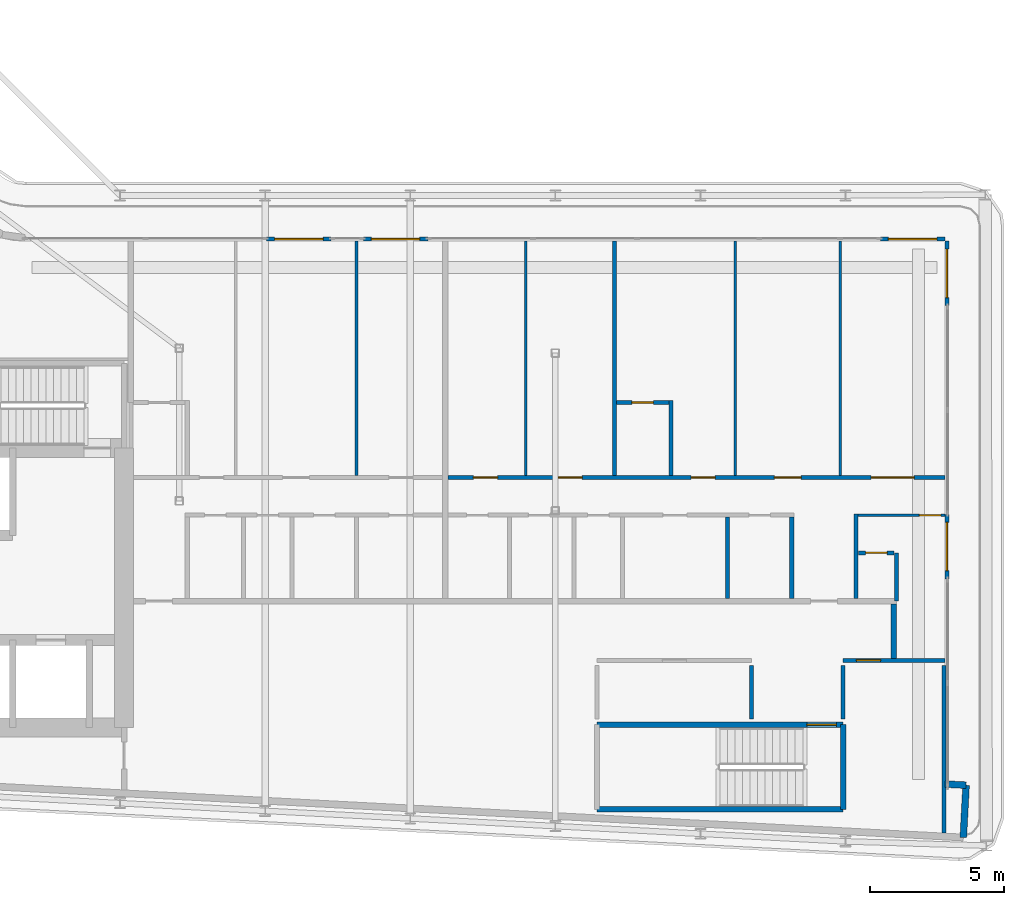
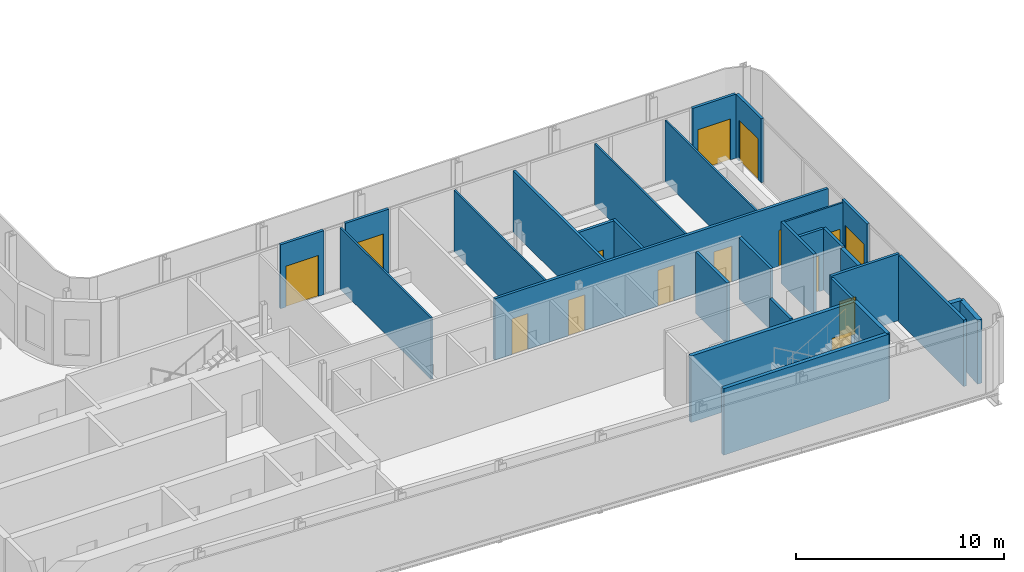
# One storey, part 12 of 22: 29 walls, 15 doors, 15 openings.
"""IFC4 building model written with IfcOpenShell, lengths in metres."""

from ifc_helpers import new_model, si_unit, direction, frame, frame_2d, origin, place, context, subcontext, project, spatial, rectangle, extrude, source, transform, mapped, material, layer, layer_set, type_object, element, fill, save


model = new_model("IFC4")

# Units and contexts
model_context = context("Model", 3, precision=1e-05, world=origin(), true_north=direction((0.0, 1.0)))
body_context = subcontext(model_context, "Body", "Model", "MODEL_VIEW")
ifc_project = project(units=[si_unit("LENGTHUNIT", "METRE"), si_unit("AREAUNIT", "SQUARE_METRE"), si_unit("VOLUMEUNIT", "CUBIC_METRE"), si_unit("PLANEANGLEUNIT", "RADIAN"), si_unit("MASSUNIT", "GRAM", prefix="KILO")], contexts=[model_context])

# Site, building, storey
site_placement = place(None, origin())
site = spatial("IfcSite", under=ifc_project, at=site_placement, CompositionType="ELEMENT")
building_placement = place(site_placement, origin())
building = spatial("IfcBuilding", under=site, at=building_placement, Name="Kheshtan School and Residences Tower", CompositionType="ELEMENT")
storey_placement = place(building_placement, frame((0.0, 0.0, 263.0)))
storey = spatial("IfcBuildingStorey", under=building, at=storey_placement, Name="L62", CompositionType="ELEMENT", Elevation=263.0)

# Walls
ifc_material_1 = material(Name="Gypsum board on steel studs with fire boards", Category="steel")
ifc_layer_1 = layer(ifc_material_1, 0.199951171875)
ifc_layer_set_1 = layer_set([ifc_layer_1], Name="Corridor wall 200")
wall_type_1 = type_object("IfcWallType", Name="Corridor wall 200", PredefinedType="PARTITIONING", material=ifc_layer_set_1)
wall_1_placement = place(storey_placement, frame((81.800048828125, 28.3740234375, 0.0), z_axis=(0.0, 0.0, 1.0), x_axis=(0.0, 1.0, 0.0)))
element("IfcWall", 1, at=wall_1_placement, inside=storey, type_object=wall_type_1, Name="Partition L62-061", PredefinedType="PARTITIONING", context=body_context, shape_type="SweptSolid", body=[
    extrude(rectangle(XDim=2.02587890625, YDim=0.199951171875, at=frame_2d((1.012939453125, 0.0))), origin(), (0.0, 0.0, 1.0), 3.60009765625),
])
ifc_material_2 = material(Name="Concrete C40/50 with ceramic cladding and mineral wool insulation", Category="concrete")
ifc_layer_2 = layer(ifc_material_2, 0.25)
ifc_layer_set_2 = layer_set([ifc_layer_2], Name="External wall 250 ceramic clad")
wall_type_2 = type_object("IfcWallType", Name="External wall 250 ceramic clad", PredefinedType="SOLIDWALL", material=ifc_layer_set_2)
wall_2_placement = place(storey_placement, frame((83.70703125, 23.69189453125, 0.0), z_axis=(0.0, 0.0, 1.0), x_axis=(0.998561284263, -0.053622398031, 0.0)))
element("IfcWall", 2, at=wall_2_placement, inside=storey, type_object=wall_type_2, Name="External wall L62 14", PredefinedType="SOLIDWALL", context=body_context, shape_type="SweptSolid", body=[
    extrude(rectangle(XDim=0.783203125, YDim=0.25, at=frame_2d((0.3916015625, 0.0))), origin(), (0.0, 0.0, 1.0), 3.75),
])
wall_3_placement = place(storey_placement, frame((84.489013671875, 23.64990234375, 0.0), z_axis=(0.0, 0.0, 1.0), x_axis=(-0.052841433274, -0.998602915542, 0.0)))
element("IfcWall", 3, at=wall_3_placement, inside=storey, type_object=wall_type_2, Name="External wall L62 15", PredefinedType="SOLIDWALL", context=body_context, shape_type="SweptSolid", body=[
    extrude(rectangle(XDim=1.94970703125, YDim=0.25, at=frame_2d((0.974853515625, 0.0))), origin(), (0.0, 0.0, 1.0), 3.75),
])

# Wall, opening, door
ifc_material_3 = material(Name="Aluminium frame wall with insulated infill", Category="aluminium")
ifc_layer_3 = layer(ifc_material_3, 0.14990234375)
ifc_layer_set_3 = layer_set([ifc_layer_3], Name="Glazing frame wall 150")
wall_type_3 = type_object("IfcWallType", Name="Glazing frame wall 150", PredefinedType="SOLIDWALL", material=ifc_layer_set_3)
wall_4_placement = place(storey_placement, frame((58.452880859375, 43.97509765625, 0.0), z_axis=(0.0, 0.0, 1.0), x_axis=(1.0, 0.0, 0.0)))
wall_4 = element("IfcWall", 4, at=wall_4_placement, inside=storey, type_object=wall_type_3, Name="Balcony door wall L62 12.1", PredefinedType="SOLIDWALL", context=body_context, shape_type="SweptSolid", body=[
    extrude(rectangle(XDim=2.400146484375, YDim=0.14990234375, at=frame_2d((1.2001953125, 0.0))), origin(), (0.0, 0.0, 1.0), 3.75),
])
opening_1_placement = place(wall_4_placement, frame((0.300048828125, 0.0, 0.0)))
opening_1 = element("IfcOpeningElement", 5, at=opening_1_placement, cuts=wall_4, Name="Opening BD", PredefinedType="OPENING", context=body_context, shape_type="SweptSolid", body=[
    extrude(rectangle(XDim=1.800048828125, YDim=2.39990234375, at=frame_2d((0.89990234375, 1.199951171875))), frame((0.0, 0.0849609375, 0.0), z_axis=(0.0, -1.0, 0.0), x_axis=(1.0, 0.0, 0.0)), (0.0, 0.0, 1.0), 0.169921875),
])
ifc_material_4 = material(Name="Clear low-e glass in thermally broken aluminium frame", Category="aluminium")
door_type_1 = type_object("IfcDoorType", Name="Balcony sliding door", OperationType="SLIDING_TO_LEFT", PredefinedType="DOOR", material=ifc_material_4)
shared_shape_1 = source(origin(), body_context, "Body", "SweptSolid", [
    extrude(rectangle(XDim=1.800048828125, YDim=2.39990234375, at=frame_2d((0.89990234375, 1.199951171875))), frame((0.0, 0.02490234375, 0.0), z_axis=(0.0, -1.0, 0.0), x_axis=(1.0, 0.0, 0.0)), (0.0, 0.0, 1.0), 0.050048828125),
])
door_1_placement = place(opening_1_placement, origin())
door_1 = element("IfcDoor", 6, at=door_1_placement, inside=storey, type_object=door_type_1, Name="Balcony door L62 12.1", OperationType="SLIDING_TO_LEFT", OverallHeight=2.39990234375, OverallWidth=1.800048828125, PredefinedType="DOOR", context=body_context, shape_type="MappedRepresentation", body=[
    mapped(shared_shape_1, transform((0.0, 0.0, 0.0), x_axis=(1.0, 0.0, 0.0), y_axis=(0.0, 1.0, 0.0), z_axis=(0.0, 0.0, 1.0), scale=1.0)),
])
fill(opening_1, door_1)

wall_5_placement = place(storey_placement, frame((62.052978515625, 43.97509765625, 0.0), z_axis=(0.0, 0.0, 1.0), x_axis=(1.0, 0.0, 0.0)))
wall_5 = element("IfcWall", 7, at=wall_5_placement, inside=storey, type_object=wall_type_3, Name="Balcony door wall L62 12.2", PredefinedType="SOLIDWALL", context=body_context, shape_type="SweptSolid", body=[
    extrude(rectangle(XDim=2.39990234375, YDim=0.14990234375, at=frame_2d((1.199951171875, 0.0))), origin(), (0.0, 0.0, 1.0), 3.75),
])
opening_2_placement = place(wall_5_placement, frame((0.300048828125, 0.0, 0.0)))
opening_2 = element("IfcOpeningElement", 8, at=opening_2_placement, cuts=wall_5, Name="Opening BD", PredefinedType="OPENING", context=body_context, shape_type="SweptSolid", body=[
    extrude(rectangle(XDim=1.800048828125, YDim=2.39990234375, at=frame_2d((0.89990234375, 1.199951171875))), frame((0.0, 0.0849609375, 0.0), z_axis=(0.0, -1.0, 0.0), x_axis=(1.0, 0.0, 0.0)), (0.0, 0.0, 1.0), 0.169921875),
])
door_2_placement = place(opening_2_placement, origin())
door_2 = element("IfcDoor", 9, at=door_2_placement, inside=storey, type_object=door_type_1, Name="Balcony door L62 12.2", OperationType="SLIDING_TO_LEFT", OverallHeight=2.39990234375, OverallWidth=1.800048828125, PredefinedType="DOOR", context=body_context, shape_type="MappedRepresentation", body=[
    mapped(shared_shape_1, transform((0.0, 0.0, 0.0), x_axis=(1.0, 0.0, 0.0), y_axis=(0.0, 1.0, 0.0), z_axis=(0.0, 0.0, 1.0), scale=1.0)),
])
fill(opening_2, door_2)

wall_6_placement = place(storey_placement, frame((81.300048828125, 43.97509765625, 0.0), z_axis=(0.0, 0.0, 1.0), x_axis=(1.0, 0.0, 0.0)))
wall_6 = element("IfcWall", 10, at=wall_6_placement, inside=storey, type_object=wall_type_3, Name="Balcony door wall L62 12.3", PredefinedType="SOLIDWALL", context=body_context, shape_type="SweptSolid", body=[
    extrude(rectangle(XDim=2.39990234375, YDim=0.14990234375, at=frame_2d((1.199951171875, 0.0))), origin(), (0.0, 0.0, 1.0), 3.75),
])
opening_3_placement = place(wall_6_placement, frame((0.300048828125, 0.0, 0.0)))
opening_3 = element("IfcOpeningElement", 11, at=opening_3_placement, cuts=wall_6, Name="Opening BD", PredefinedType="OPENING", context=body_context, shape_type="SweptSolid", body=[
    extrude(rectangle(XDim=1.800048828125, YDim=2.39990234375, at=frame_2d((0.89990234375, 1.199951171875))), frame((0.0, 0.0849609375, 0.0), z_axis=(0.0, -1.0, 0.0), x_axis=(1.0, 0.0, 0.0)), (0.0, 0.0, 1.0), 0.169921875),
])
door_3_placement = place(opening_3_placement, origin())
door_3 = element("IfcDoor", 12, at=door_3_placement, inside=storey, type_object=door_type_1, Name="Balcony door L62 12.3", OperationType="SLIDING_TO_LEFT", OverallHeight=2.39990234375, OverallWidth=1.800048828125, PredefinedType="DOOR", context=body_context, shape_type="MappedRepresentation", body=[
    mapped(shared_shape_1, transform((0.0, 0.0, 0.0), x_axis=(1.0, 0.0, 0.0), y_axis=(0.0, 1.0, 0.0), z_axis=(0.0, 0.0, 1.0), scale=1.0)),
])
fill(opening_3, door_3)

wall_7_placement = place(storey_placement, frame((83.77490234375, 43.89990234375, 0.0), z_axis=(0.0, 0.0, 1.0), x_axis=(0.0, -1.0, 0.0)))
wall_7 = element("IfcWall", 13, at=wall_7_placement, inside=storey, type_object=wall_type_3, Name="Balcony door wall L62 13.1", PredefinedType="SOLIDWALL", context=body_context, shape_type="SweptSolid", body=[
    extrude(rectangle(XDim=2.39990234375, YDim=0.14990234375, at=frame_2d((1.199951171875, 0.0))), origin(), (0.0, 0.0, 1.0), 3.75),
])
opening_4_placement = place(wall_7_placement, frame((0.300048828125, 0.0, 0.0)))
opening_4 = element("IfcOpeningElement", 14, at=opening_4_placement, cuts=wall_7, Name="Opening BD", PredefinedType="OPENING", context=body_context, shape_type="SweptSolid", body=[
    extrude(rectangle(XDim=1.800048828125, YDim=2.39990234375, at=frame_2d((0.89990234375, 1.199951171875))), frame((0.0, 0.0849609375, 0.0), z_axis=(0.0, -1.0, 0.0), x_axis=(1.0, 0.0, 0.0)), (0.0, 0.0, 1.0), 0.169921875),
])
door_4_placement = place(opening_4_placement, origin())
door_4 = element("IfcDoor", 15, at=door_4_placement, inside=storey, type_object=door_type_1, Name="Balcony door L62 13.1", OperationType="SLIDING_TO_LEFT", OverallHeight=2.39990234375, OverallWidth=1.800048828125, PredefinedType="DOOR", context=body_context, shape_type="MappedRepresentation", body=[
    mapped(shared_shape_1, transform((0.0, 0.0, 0.0), x_axis=(1.0, 0.0, 0.0), y_axis=(0.0, 1.0, 0.0), z_axis=(0.0, 0.0, 1.0), scale=1.0)),
])
fill(opening_4, door_4)

wall_8_placement = place(storey_placement, frame((83.77490234375, 33.73291015625, 0.0), z_axis=(0.0, 0.0, 1.0), x_axis=(0.0, -1.0, 0.0)))
wall_8 = element("IfcWall", 16, at=wall_8_placement, inside=storey, type_object=wall_type_3, Name="Balcony door wall L62 13.2", PredefinedType="SOLIDWALL", context=body_context, shape_type="SweptSolid", body=[
    extrude(rectangle(XDim=2.39892578125, YDim=0.14990234375, at=frame_2d((1.199462890625, 0.0))), origin(), (0.0, 0.0, 1.0), 3.75),
])
opening_5_placement = place(wall_8_placement, frame((0.300048828125, 0.0, 0.0)))
opening_5 = element("IfcOpeningElement", 17, at=opening_5_placement, cuts=wall_8, Name="Opening BD", PredefinedType="OPENING", context=body_context, shape_type="SweptSolid", body=[
    extrude(rectangle(XDim=1.800048828125, YDim=2.39990234375, at=frame_2d((0.89990234375, 1.199951171875))), frame((0.0, 0.0849609375, 0.0), z_axis=(0.0, -1.0, 0.0), x_axis=(1.0, 0.0, 0.0)), (0.0, 0.0, 1.0), 0.169921875),
])
door_5_placement = place(opening_5_placement, origin())
door_5 = element("IfcDoor", 18, at=door_5_placement, inside=storey, type_object=door_type_1, Name="Balcony door L62 13.2", OperationType="SLIDING_TO_LEFT", OverallHeight=2.39990234375, OverallWidth=1.800048828125, PredefinedType="DOOR", context=body_context, shape_type="MappedRepresentation", body=[
    mapped(shared_shape_1, transform((0.0, 0.0, 0.0), x_axis=(1.0, 0.0, 0.0), y_axis=(0.0, 1.0, 0.0), z_axis=(0.0, 0.0, 1.0), scale=1.0)),
])
fill(opening_5, door_5)

# Walls
ifc_material_5 = material(Name="Gypsum board on steel studs", Category="steel")
ifc_layer_4 = layer(ifc_material_5, 0.10009765625)
ifc_layer_set_4 = layer_set([ifc_layer_4], Name="Gypsum partition 100")
wall_type_4 = type_object("IfcWallType", Name="Gypsum partition 100", PredefinedType="PARTITIONING", material=ifc_layer_set_4)
for number, where, z_axis, x_axis, name in (
    (19, (61.800048828125, 35.175048828125, 0.0), (0.0, 0.0, 1.0), (0.0, 1.0, 0.0), "Partition L62-043"),
    (20, (68.10009765625, 35.175048828125, 0.0), (0.0, 0.0, 1.0), (0.0, 1.0, 0.0), "Partition L62-048"),
    (21, (75.89990234375, 35.175048828125, 0.0), (0.0, 0.0, 1.0), (0.0, 1.0, 0.0), "Partition L62-055"),
    (22, (79.800048828125, 35.175048828125, 0.0), (0.0, 0.0, 1.0), (0.0, 1.0, 0.0), "Partition L62-057"),
):
    element("IfcWall", number, at=place(storey_placement, frame(where, z_axis=z_axis, x_axis=x_axis)), inside=storey, type_object=wall_type_4, Name=name, PredefinedType="PARTITIONING", context=body_context, shape_type="SweptSolid", body=[
        extrude(rectangle(XDim=8.724853515625, YDim=0.10009765625, at=frame_2d((4.3623046875, 0.0))), origin(), (0.0, 0.0, 1.0), 3.60009765625),
    ])

# Wall, opening, door
wall_9_placement = place(storey_placement, frame((80.47509765625, 33.699951171875, 0.0), z_axis=(0.0, 0.0, 1.0), x_axis=(1.0, 0.0, 0.0)))
wall_9 = element("IfcWall", 23, at=wall_9_placement, inside=storey, type_object=wall_type_4, Name="Partition L62-060", PredefinedType="PARTITIONING", context=body_context, shape_type="SweptSolid", body=[
    extrude(rectangle(XDim=3.224853515625, YDim=0.10009765625, at=frame_2d((1.6123046875, 0.0))), origin(), (0.0, 0.0, 1.0), 3.60009765625),
])
opening_6_placement = place(wall_9_placement, frame((2.27490234375, 0.0, 0.0)))
opening_6 = element("IfcOpeningElement", 24, at=opening_6_placement, cuts=wall_9, Name="Opening D61-019", PredefinedType="OPENING", context=body_context, shape_type="SweptSolid", body=[
    extrude(rectangle(XDim=0.800048828125, YDim=2.10009765625, at=frame_2d((0.39990234375, 1.050048828125))), frame((0.0, 0.06005859375, 0.0), z_axis=(0.0, -1.0, 0.0), x_axis=(1.0, 0.0, 0.0)), (0.0, 0.0, 1.0), 0.1201171875),
])
ifc_material_6 = material(Name="Veneered timber door leaf", Category="wood")
door_type_2 = type_object("IfcDoorType", Name="Door 800 x 2100", OperationType="SINGLE_SWING_LEFT", PredefinedType="DOOR", material=ifc_material_6)
shared_shape_2 = source(origin(), body_context, "Body", "SweptSolid", [
    extrude(rectangle(XDim=0.800048828125, YDim=2.10009765625, at=frame_2d((0.39990234375, 1.050048828125))), frame((0.0, 0.02490234375, 0.0), z_axis=(0.0, -1.0, 0.0), x_axis=(1.0, 0.0, 0.0)), (0.0, 0.0, 1.0), 0.050048828125),
])
door_6_placement = place(opening_6_placement, origin())
door_6 = element("IfcDoor", 25, at=door_6_placement, inside=storey, type_object=door_type_2, Name="Door D61-019", OperationType="SINGLE_SWING_LEFT", OverallHeight=2.10009765625, OverallWidth=0.800048828125, PredefinedType="DOOR", context=body_context, shape_type="MappedRepresentation", body=[
    mapped(shared_shape_2, transform((0.0, 0.0, 0.0), x_axis=(1.0, 0.0, 0.0), y_axis=(0.0, 1.0, 0.0), z_axis=(0.0, 0.0, 1.0), scale=1.0)),
])
fill(opening_6, door_6)

# Wall
ifc_material_7 = material(Name="Fire-board shaft wall system")
ifc_layer_5 = layer(ifc_material_7, 0.14990234375)
ifc_layer_set_5 = layer_set([ifc_layer_5], Name="Service room wall 150")
wall_type_5 = type_object("IfcWallType", Name="Service room wall 150", PredefinedType="PARTITIONING", material=ifc_layer_set_5)
wall_10_placement = place(storey_placement, frame((76.510009765625, 26.1201171875, 0.0), z_axis=(0.0, 0.0, 1.0), x_axis=(0.0, 1.0, 0.0)))
element("IfcWall", 26, at=wall_10_placement, inside=storey, type_object=wall_type_5, Name="Service room wall", PredefinedType="PARTITIONING", context=body_context, shape_type="SweptSolid", body=[
    extrude(rectangle(XDim=1.98486328125, YDim=0.14990234375, at=frame_2d((0.992431640625, 0.0))), origin(), (0.0, 0.0, 1.0), 3.89990234375),
])

# Wall, opening, door
wall_11_placement = place(storey_placement, frame((79.909912109375, 28.300048828125, 0.0), z_axis=(0.0, 0.0, 1.0), x_axis=(1.0, 0.0, 0.0)))
wall_11 = element("IfcWall", 27, at=wall_11_placement, inside=storey, type_object=wall_type_5, Name="Service room wall", PredefinedType="PARTITIONING", context=body_context, shape_type="SweptSolid", body=[
    extrude(rectangle(XDim=3.7880859375, YDim=0.14990234375, at=frame_2d((1.89404296875, 0.0))), origin(), (0.0, 0.0, 1.0), 3.89990234375),
])
opening_7_placement = place(wall_11_placement, frame((0.4951171875, 0.0, 0.0)))
opening_7 = element("IfcOpeningElement", 28, at=opening_7_placement, cuts=wall_11, Name="Opening SR90", PredefinedType="OPENING", context=body_context, shape_type="SweptSolid", body=[
    extrude(rectangle(XDim=0.89990234375, YDim=2.199951171875, at=frame_2d((0.449951171875, 1.10009765625))), frame((0.0, 0.0849609375, 0.0), z_axis=(0.0, -1.0, 0.0), x_axis=(1.0, 0.0, 0.0)), (0.0, 0.0, 1.0), 0.169921875),
])
ifc_material_8 = material(Name="Steel door leaf, galvanised", Category="steel")
door_type_3 = type_object("IfcDoorType", Name="Service room door 900 steel 90 min", OperationType="SINGLE_SWING_LEFT", PredefinedType="DOOR", material=ifc_material_8)
shared_shape_3 = source(origin(), body_context, "Body", "SweptSolid", [
    extrude(rectangle(XDim=0.89990234375, YDim=2.199951171875, at=frame_2d((0.449951171875, 1.10009765625))), frame((0.0, 0.02490234375, 0.0), z_axis=(0.0, -1.0, 0.0), x_axis=(1.0, 0.0, 0.0)), (0.0, 0.0, 1.0), 0.050048828125),
])
door_7_placement = place(opening_7_placement, origin())
door_7 = element("IfcDoor", 29, at=door_7_placement, inside=storey, type_object=door_type_3, Name="Service room door", OperationType="SINGLE_SWING_RIGHT", OverallHeight=2.199951171875, OverallWidth=0.89990234375, PredefinedType="DOOR", context=body_context, shape_type="MappedRepresentation", body=[
    mapped(shared_shape_3, transform((0.0, 0.0, 0.0), x_axis=(1.0, 0.0, 0.0), y_axis=(0.0, 1.0, 0.0), z_axis=(0.0, 0.0, 1.0), scale=1.0)),
])
fill(opening_7, door_7)

# Walls
wall_12_placement = place(storey_placement, frame((79.909912109375, 26.1201171875, 0.0), z_axis=(0.0, 0.0, 1.0), x_axis=(0.0, 1.0, 0.0)))
element("IfcWall", 30, at=wall_12_placement, inside=storey, type_object=wall_type_5, Name="Service room wall", PredefinedType="PARTITIONING", context=body_context, shape_type="SweptSolid", body=[
    extrude(rectangle(XDim=1.98486328125, YDim=0.14990234375, at=frame_2d((0.992431640625, 0.0))), origin(), (0.0, 0.0, 1.0), 3.89990234375),
])
wall_13_placement = place(storey_placement, frame((83.669921875, 21.867919921875, 0.0), z_axis=(0.0, 0.0, 1.0), x_axis=(0.0, 1.0, 0.0)))
element("IfcWall", 31, at=wall_13_placement, inside=storey, type_object=wall_type_5, Name="Service room wall", PredefinedType="PARTITIONING", context=body_context, shape_type="SweptSolid", body=[
    extrude(rectangle(XDim=6.237060546875, YDim=0.14990234375, at=frame_2d((3.11865234375, 0.0))), origin(), (0.0, 0.0, 1.0), 3.89990234375),
])
ifc_material_9 = material(Name="Concrete C40/50", Category="concrete")
ifc_layer_6 = layer(ifc_material_9, 0.199951171875)
ifc_layer_set_6 = layer_set([ifc_layer_6], Name="Stair enclosure wall 200 Concrete C40/50")
wall_type_6 = type_object("IfcWallType", Name="Stair enclosure wall 200 Concrete C40/50", PredefinedType="SHEAR", material=ifc_layer_set_6)
wall_14_placement = place(storey_placement, frame((70.75, 22.75, 0.0), z_axis=(0.0, 0.0, 1.0), x_axis=(1.0, 0.0, 0.0)))
element("IfcWall", 32, at=wall_14_placement, inside=storey, type_object=wall_type_6, Name="Stair enclosure wall ST5", PredefinedType="SHEAR", context=body_context, shape_type="SweptSolid", body=[
    extrude(rectangle(XDim=9.159912109375, YDim=0.199951171875, at=frame_2d((4.580078125, 0.0))), origin(), (0.0, 0.0, 1.0), 3.89990234375),
])

# Wall, opening, door
wall_15_placement = place(storey_placement, frame((70.75, 25.89990234375, 0.0), z_axis=(0.0, 0.0, 1.0), x_axis=(1.0, 0.0, 0.0)))
wall_15 = element("IfcWall", 33, at=wall_15_placement, inside=storey, type_object=wall_type_6, Name="Stair enclosure wall ST5", PredefinedType="SHEAR", context=body_context, shape_type="SweptSolid", body=[
    extrude(rectangle(XDim=9.159912109375, YDim=0.199951171875, at=frame_2d((4.580078125, 0.0))), origin(), (0.0, 0.0, 1.0), 3.89990234375),
])
opening_8_placement = place(wall_15_placement, frame((7.81005859375, 0.0, 0.0)))
opening_8 = element("IfcOpeningElement", 34, at=opening_8_placement, cuts=wall_15, Name="Opening ST5D", PredefinedType="OPENING", context=body_context, shape_type="SweptSolid", body=[
    extrude(rectangle(XDim=1.10009765625, YDim=2.199951171875, at=frame_2d((0.550048828125, 1.10009765625))), frame((0.0, 0.10986328125, 0.0), z_axis=(0.0, -1.0, 0.0), x_axis=(1.0, 0.0, 0.0)), (0.0, 0.0, 1.0), 0.219970703125),
])
door_type_4 = type_object("IfcDoorType", Name="Stair door 1100 steel 90 min", OperationType="SINGLE_SWING_LEFT", PredefinedType="DOOR", material=ifc_material_8)
shared_shape_4 = source(origin(), body_context, "Body", "SweptSolid", [
    extrude(rectangle(XDim=1.10009765625, YDim=2.199951171875, at=frame_2d((0.550048828125, 1.10009765625))), frame((0.0, 0.02490234375, 0.0), z_axis=(0.0, -1.0, 0.0), x_axis=(1.0, 0.0, 0.0)), (0.0, 0.0, 1.0), 0.050048828125),
])
door_8_placement = place(opening_8_placement, origin())
door_8 = element("IfcDoor", 35, at=door_8_placement, inside=storey, type_object=door_type_4, Name="Stair ST5 door", OperationType="SINGLE_SWING_LEFT", OverallHeight=2.199951171875, OverallWidth=1.10009765625, PredefinedType="DOOR", context=body_context, shape_type="MappedRepresentation", body=[
    mapped(shared_shape_4, transform((0.0, 0.0, 0.0), x_axis=(1.0, 0.0, 0.0), y_axis=(0.0, 1.0, 0.0), z_axis=(0.0, 0.0, 1.0), scale=1.0)),
])
fill(opening_8, door_8)

# Wall
wall_16_placement = place(storey_placement, frame((79.909912109375, 22.75, 0.0), z_axis=(0.0, 0.0, 1.0), x_axis=(0.0, 1.0, 0.0)))
element("IfcWall", 36, at=wall_16_placement, inside=storey, type_object=wall_type_6, Name="Stair enclosure wall ST5", PredefinedType="SHEAR", context=body_context, shape_type="SweptSolid", body=[
    extrude(rectangle(XDim=3.14990234375, YDim=0.199951171875, at=frame_2d((1.574951171875, 0.0))), origin(), (0.0, 0.0, 1.0), 3.89990234375),
])

# Wall, openings, doors
ifc_material_10 = material(Name="Moisture-resistant gypsum board on steel studs", Category="steel")
ifc_layer_7 = layer(ifc_material_10, 0.14990234375)
ifc_layer_set_7 = layer_set([ifc_layer_7], Name="Wet-room partition 150")
wall_type_7 = type_object("IfcWallType", Name="Wet-room partition 150", PredefinedType="PARTITIONING", material=ifc_layer_set_7)
wall_17_placement = place(storey_placement, frame((65.199951171875, 35.10009765625, 0.0), z_axis=(0.0, 0.0, 1.0), x_axis=(1.0, 0.0, 0.0)))
wall_17 = element("IfcWall", 37, at=wall_17_placement, inside=storey, type_object=wall_type_7, Name="Partition L62-046", PredefinedType="PARTITIONING", context=body_context, shape_type="SweptSolid", body=[
    extrude(rectangle(XDim=18.5, YDim=0.14990234375, at=frame_2d((9.25, 0.0))), origin(), (0.0, 0.0, 1.0), 3.60009765625),
])
opening_9_placement = place(wall_17_placement, frame((0.949951171875, 0.0, 0.0)))
opening_9 = element("IfcOpeningElement", 38, at=opening_9_placement, cuts=wall_17, Name="Opening D61-012", PredefinedType="OPENING", context=body_context, shape_type="SweptSolid", body=[
    extrude(rectangle(XDim=0.89990234375, YDim=2.10009765625, at=frame_2d((0.449951171875, 1.050048828125))), frame((0.0, 0.0849609375, 0.0), z_axis=(0.0, -1.0, 0.0), x_axis=(1.0, 0.0, 0.0)), (0.0, 0.0, 1.0), 0.169921875),
])
opening_10_placement = place(wall_17_placement, frame((4.10009765625, 0.0, 0.0)))
opening_10 = element("IfcOpeningElement", 39, at=opening_10_placement, cuts=wall_17, Name="Opening D61-013", PredefinedType="OPENING", context=body_context, shape_type="SweptSolid", body=[
    extrude(rectangle(XDim=0.89990234375, YDim=2.10009765625, at=frame_2d((0.449951171875, 1.050048828125))), frame((0.0, 0.0849609375, 0.0), z_axis=(0.0, -1.0, 0.0), x_axis=(1.0, 0.0, 0.0)), (0.0, 0.0, 1.0), 0.169921875),
])
opening_11_placement = place(wall_17_placement, frame((12.14990234375, 0.0, 0.0)))
opening_11 = element("IfcOpeningElement", 40, at=opening_11_placement, cuts=wall_17, Name="Opening D61-018", PredefinedType="OPENING", context=body_context, shape_type="SweptSolid", body=[
    extrude(rectangle(XDim=1.0, YDim=2.10009765625, at=frame_2d((0.5, 1.050048828125))), frame((0.0, 0.0849609375, 0.0), z_axis=(0.0, -1.0, 0.0), x_axis=(1.0, 0.0, 0.0)), (0.0, 0.0, 1.0), 0.169921875),
])
opening_12_placement = place(wall_17_placement, frame((15.75, 0.0, 0.0)))
opening_12 = element("IfcOpeningElement", 41, at=opening_12_placement, cuts=wall_17, Name="Opening D61-021", PredefinedType="OPENING", context=body_context, shape_type="SweptSolid", body=[
    extrude(rectangle(XDim=1.60009765625, YDim=2.10009765625, at=frame_2d((0.800048828125, 1.050048828125))), frame((0.0, 0.0849609375, 0.0), z_axis=(0.0, -1.0, 0.0), x_axis=(1.0, 0.0, 0.0)), (0.0, 0.0, 1.0), 0.169921875),
])
opening_13_placement = place(wall_17_placement, frame((9.050048828125, 0.0, 0.0)))
opening_13 = element("IfcOpeningElement", 42, at=opening_13_placement, cuts=wall_17, Name="Opening D61-022", PredefinedType="OPENING", context=body_context, shape_type="SweptSolid", body=[
    extrude(rectangle(XDim=0.89990234375, YDim=2.10009765625, at=frame_2d((0.449951171875, 1.050048828125))), frame((0.0, 0.0849609375, 0.0), z_axis=(0.0, -1.0, 0.0), x_axis=(1.0, 0.0, 0.0)), (0.0, 0.0, 1.0), 0.169921875),
])
door_type_5 = type_object("IfcDoorType", Name="Door 1000 x 2100", OperationType="SINGLE_SWING_LEFT", PredefinedType="DOOR", material=ifc_material_6)
shared_shape_5 = source(origin(), body_context, "Body", "SweptSolid", [
    extrude(rectangle(XDim=1.0, YDim=2.10009765625, at=frame_2d((0.5, 1.050048828125))), frame((0.0, 0.02490234375, 0.0), z_axis=(0.0, -1.0, 0.0), x_axis=(1.0, 0.0, 0.0)), (0.0, 0.0, 1.0), 0.050048828125),
])
door_9_placement = place(opening_11_placement, origin())
door_9 = element("IfcDoor", 43, at=door_9_placement, inside=storey, type_object=door_type_5, Name="Door D61-018", OperationType="SINGLE_SWING_LEFT", OverallHeight=2.10009765625, OverallWidth=1.0, PredefinedType="DOOR", context=body_context, shape_type="MappedRepresentation", body=[
    mapped(shared_shape_5, transform((0.0, 0.0, 0.0), x_axis=(1.0, 0.0, 0.0), y_axis=(0.0, 1.0, 0.0), z_axis=(0.0, 0.0, 1.0), scale=1.0)),
])
fill(opening_11, door_9)
door_type_6 = type_object("IfcDoorType", Name="Door 900 x 2100", OperationType="SINGLE_SWING_LEFT", PredefinedType="DOOR", material=ifc_material_6)
shared_shape_6 = source(origin(), body_context, "Body", "SweptSolid", [
    extrude(rectangle(XDim=0.89990234375, YDim=2.10009765625, at=frame_2d((0.449951171875, 1.050048828125))), frame((0.0, 0.02490234375, 0.0), z_axis=(0.0, -1.0, 0.0), x_axis=(1.0, 0.0, 0.0)), (0.0, 0.0, 1.0), 0.050048828125),
])
door_10_placement = place(opening_9_placement, origin())
door_10 = element("IfcDoor", 44, at=door_10_placement, inside=storey, type_object=door_type_6, Name="Door D61-012", OperationType="SINGLE_SWING_RIGHT", OverallHeight=2.10009765625, OverallWidth=0.89990234375, PredefinedType="DOOR", context=body_context, shape_type="MappedRepresentation", body=[
    mapped(shared_shape_6, transform((0.0, 0.0, 0.0), x_axis=(1.0, 0.0, 0.0), y_axis=(0.0, 1.0, 0.0), z_axis=(0.0, 0.0, 1.0), scale=1.0)),
])
fill(opening_9, door_10)
door_11_placement = place(opening_10_placement, origin())
door_11 = element("IfcDoor", 45, at=door_11_placement, inside=storey, type_object=door_type_6, Name="Door D61-013", OperationType="SINGLE_SWING_LEFT", OverallHeight=2.10009765625, OverallWidth=0.89990234375, PredefinedType="DOOR", context=body_context, shape_type="MappedRepresentation", body=[
    mapped(shared_shape_6, transform((0.0, 0.0, 0.0), x_axis=(1.0, 0.0, 0.0), y_axis=(0.0, 1.0, 0.0), z_axis=(0.0, 0.0, 1.0), scale=1.0)),
])
fill(opening_10, door_11)
door_12_placement = place(opening_13_placement, origin())
door_12 = element("IfcDoor", 46, at=door_12_placement, inside=storey, type_object=door_type_6, Name="Door D61-022", OperationType="SINGLE_SWING_LEFT", OverallHeight=2.10009765625, OverallWidth=0.89990234375, PredefinedType="DOOR", context=body_context, shape_type="MappedRepresentation", body=[
    mapped(shared_shape_6, transform((0.0, 0.0, 0.0), x_axis=(1.0, 0.0, 0.0), y_axis=(0.0, 1.0, 0.0), z_axis=(0.0, 0.0, 1.0), scale=1.0)),
])
fill(opening_13, door_12)
door_type_7 = type_object("IfcDoorType", Name="Double door 1600 x 2100", OperationType="DOUBLE_DOOR_SINGLE_SWING", PredefinedType="DOOR", material=ifc_material_6)
shared_shape_7 = source(origin(), body_context, "Body", "SweptSolid", [
    extrude(rectangle(XDim=1.60009765625, YDim=2.10009765625, at=frame_2d((0.800048828125, 1.050048828125))), frame((0.0, 0.02490234375, 0.0), z_axis=(0.0, -1.0, 0.0), x_axis=(1.0, 0.0, 0.0)), (0.0, 0.0, 1.0), 0.050048828125),
])
door_13_placement = place(opening_12_placement, origin())
door_13 = element("IfcDoor", 47, at=door_13_placement, inside=storey, type_object=door_type_7, Name="Door D61-021", OperationType="DOUBLE_DOOR_SINGLE_SWING", OverallHeight=2.10009765625, OverallWidth=1.60009765625, PredefinedType="DOOR", context=body_context, shape_type="MappedRepresentation", body=[
    mapped(shared_shape_7, transform((0.0, 0.0, 0.0), x_axis=(1.0, 0.0, 0.0), y_axis=(0.0, 1.0, 0.0), z_axis=(0.0, 0.0, 1.0), scale=1.0)),
])
fill(opening_12, door_13)

# Wall
wall_18_placement = place(storey_placement, frame((71.39990234375, 35.175048828125, 0.0), z_axis=(0.0, 0.0, 1.0), x_axis=(0.0, 1.0, 0.0)))
element("IfcWall", 48, at=wall_18_placement, inside=storey, type_object=wall_type_7, Name="Partition L62-050", PredefinedType="PARTITIONING", context=body_context, shape_type="SweptSolid", body=[
    extrude(rectangle(XDim=8.724853515625, YDim=0.14990234375, at=frame_2d((4.3623046875, 0.0))), origin(), (0.0, 0.0, 1.0), 3.60009765625),
])

# Wall, opening, door
wall_19_placement = place(storey_placement, frame((71.47509765625, 37.89990234375, 0.0), z_axis=(0.0, 0.0, 1.0), x_axis=(1.0, 0.0, 0.0)))
wall_19 = element("IfcWall", 49, at=wall_19_placement, inside=storey, type_object=wall_type_7, Name="Partition L62-051", PredefinedType="PARTITIONING", context=body_context, shape_type="SweptSolid", body=[
    extrude(rectangle(XDim=1.949951171875, YDim=0.14990234375, at=frame_2d((0.97509765625, 0.0))), origin(), (0.0, 0.0, 1.0), 3.60009765625),
])
opening_14_placement = place(wall_19_placement, frame((0.574951171875, 0.0, 0.0)))
opening_14 = element("IfcOpeningElement", 50, at=opening_14_placement, cuts=wall_19, Name="Opening D61-015", PredefinedType="OPENING", context=body_context, shape_type="SweptSolid", body=[
    extrude(rectangle(XDim=0.800048828125, YDim=2.10009765625, at=frame_2d((0.39990234375, 1.050048828125))), frame((0.0, 0.0849609375, 0.0), z_axis=(0.0, -1.0, 0.0), x_axis=(1.0, 0.0, 0.0)), (0.0, 0.0, 1.0), 0.169921875),
])
door_14_placement = place(opening_14_placement, origin())
door_14 = element("IfcDoor", 51, at=door_14_placement, inside=storey, type_object=door_type_2, Name="Door D61-015", OperationType="SINGLE_SWING_LEFT", OverallHeight=2.10009765625, OverallWidth=0.800048828125, PredefinedType="DOOR", context=body_context, shape_type="MappedRepresentation", body=[
    mapped(shared_shape_2, transform((0.0, 0.0, 0.0), x_axis=(1.0, 0.0, 0.0), y_axis=(0.0, 1.0, 0.0), z_axis=(0.0, 0.0, 1.0), scale=1.0)),
])
fill(opening_14, door_14)

# Walls
wall_20_placement = place(storey_placement, frame((73.5, 35.175048828125, 0.0), z_axis=(0.0, 0.0, 1.0), x_axis=(0.0, 1.0, 0.0)))
element("IfcWall", 52, at=wall_20_placement, inside=storey, type_object=wall_type_7, Name="Partition L62-053", PredefinedType="PARTITIONING", context=body_context, shape_type="SweptSolid", body=[
    extrude(rectangle(XDim=2.800048828125, YDim=0.14990234375, at=frame_2d((1.39990234375, 0.0))), origin(), (0.0, 0.0, 1.0), 3.60009765625),
])
for number, where, z_axis, x_axis, name in (
    (53, (75.60009765625, 30.60009765625, 0.0), (0.0, 0.0, 1.0), (0.0, 1.0, 0.0), "Partition L62-054"),
    (54, (78.0, 30.60009765625, 0.0), (0.0, 0.0, 1.0), (0.0, 1.0, 0.0), "Partition L62-056"),
):
    element("IfcWall", number, at=place(storey_placement, frame(where, z_axis=z_axis, x_axis=x_axis)), inside=storey, type_object=wall_type_7, Name=name, PredefinedType="PARTITIONING", context=body_context, shape_type="SweptSolid", body=[
        extrude(rectangle(XDim=3.02490234375, YDim=0.14990234375, at=frame_2d((1.512451171875, 0.0))), origin(), (0.0, 0.0, 1.0), 3.60009765625),
    ])
wall_21_placement = place(storey_placement, frame((80.39990234375, 30.60009765625, 0.0), z_axis=(0.0, 0.0, 1.0), x_axis=(0.0, 1.0, 0.0)))
element("IfcWall", 55, at=wall_21_placement, inside=storey, type_object=wall_type_7, Name="Partition L62-058", PredefinedType="PARTITIONING", context=body_context, shape_type="SweptSolid", body=[
    extrude(rectangle(XDim=3.14990234375, YDim=0.14990234375, at=frame_2d((1.574951171875, 0.0))), origin(), (0.0, 0.0, 1.0), 3.60009765625),
])

# Wall, opening, door
wall_22_placement = place(storey_placement, frame((80.47509765625, 32.300048828125, 0.0), z_axis=(0.0, 0.0, 1.0), x_axis=(1.0, 0.0, 0.0)))
wall_22 = element("IfcWall", 56, at=wall_22_placement, inside=storey, type_object=wall_type_7, Name="Partition L62-059", PredefinedType="PARTITIONING", context=body_context, shape_type="SweptSolid", body=[
    extrude(rectangle(XDim=1.324951171875, YDim=0.14990234375, at=frame_2d((0.66259765625, 0.0))), origin(), (0.0, 0.0, 1.0), 3.60009765625),
])
opening_15_placement = place(wall_22_placement, frame((0.27490234375, 0.0, 0.0)))
opening_15 = element("IfcOpeningElement", 57, at=opening_15_placement, cuts=wall_22, Name="Opening D61-020", PredefinedType="OPENING", context=body_context, shape_type="SweptSolid", body=[
    extrude(rectangle(XDim=0.800048828125, YDim=2.10009765625, at=frame_2d((0.39990234375, 1.050048828125))), frame((0.0, 0.0849609375, 0.0), z_axis=(0.0, -1.0, 0.0), x_axis=(1.0, 0.0, 0.0)), (0.0, 0.0, 1.0), 0.169921875),
])
door_15_placement = place(opening_15_placement, origin())
door_15 = element("IfcDoor", 58, at=door_15_placement, inside=storey, type_object=door_type_2, Name="Door D61-020", OperationType="SINGLE_SWING_RIGHT", OverallHeight=2.10009765625, OverallWidth=0.800048828125, PredefinedType="DOOR", context=body_context, shape_type="MappedRepresentation", body=[
    mapped(shared_shape_2, transform((0.0, 0.0, 0.0), x_axis=(1.0, 0.0, 0.0), y_axis=(0.0, 1.0, 0.0), z_axis=(0.0, 0.0, 1.0), scale=1.0)),
])
fill(opening_15, door_15)

# Wall
wall_23_placement = place(storey_placement, frame((81.89990234375, 30.5, 0.0), z_axis=(0.0, 0.0, 1.0), x_axis=(0.0, 1.0, 0.0)))
element("IfcWall", 59, at=wall_23_placement, inside=storey, type_object=wall_type_7, Name="Partition L62-062", PredefinedType="PARTITIONING", context=body_context, shape_type="SweptSolid", body=[
    extrude(rectangle(XDim=1.800048828125, YDim=0.14990234375, at=frame_2d((0.89990234375, 0.0))), origin(), (0.0, 0.0, 1.0), 3.60009765625),
])

save(model, "model.ifc")
